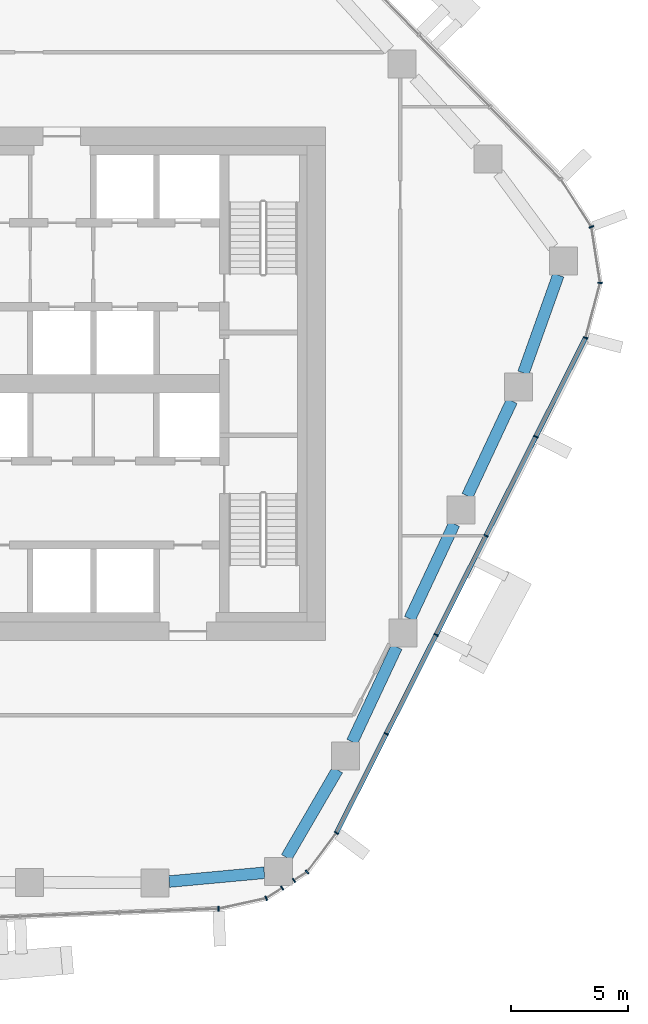
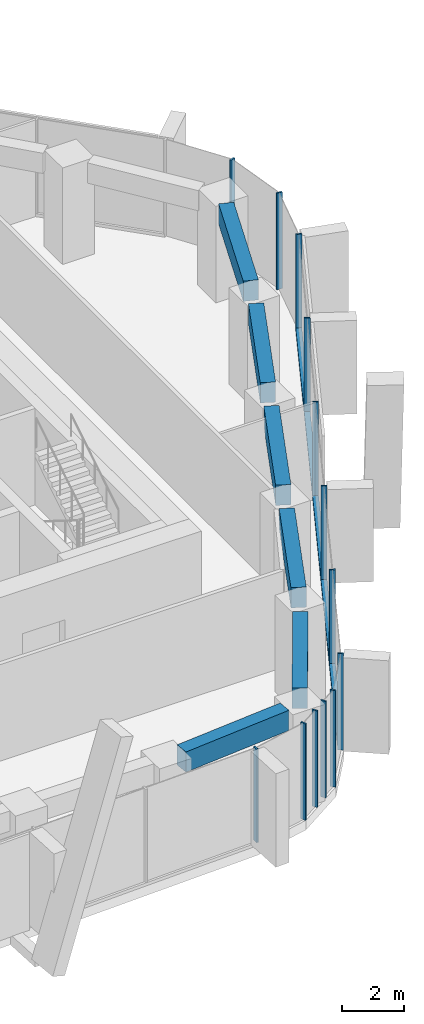
# One storey, part 4 of 19: 14 members, 6 beams, 5 elements without a shape of their own.
"""IFC4 building model written with IfcOpenShell, lengths in metres."""

from ifc_helpers import new_model, si_unit, direction, frame, origin, origin_2d, place, context, subcontext, project, spatial, rectangle, extrude, material, layer, layer_set, material_profile, profile_set, type_object, element, aggregate, save


model = new_model("IFC4")

# Units and contexts
model_context = context("Model", 3, precision=1e-05, world=origin(), true_north=direction((0.0, 1.0)))
body_context = subcontext(model_context, "Body", "Model", "MODEL_VIEW")
ifc_project = project(units=[si_unit("LENGTHUNIT", "METRE"), si_unit("AREAUNIT", "SQUARE_METRE"), si_unit("VOLUMEUNIT", "CUBIC_METRE"), si_unit("PLANEANGLEUNIT", "RADIAN"), si_unit("MASSUNIT", "GRAM", prefix="KILO")], contexts=[model_context])

# Site, building, storey
site_placement = place(None, origin())
site = spatial("IfcSite", under=ifc_project, at=site_placement, CompositionType="ELEMENT")
building_placement = place(site_placement, origin())
building = spatial("IfcBuilding", under=site, at=building_placement, Name="Dongbaek Canopy Tower", CompositionType="ELEMENT")
storey_placement = place(building_placement, frame((0.0, 0.0, 207.199951171875)))
storey = spatial("IfcBuildingStorey", under=building, at=storey_placement, Name="L43", CompositionType="ELEMENT", Elevation=207.199951171875)

# Curtain wall, members
ifc_material_1 = material(Name="Aluminium 6063-T6 pale anodised", Category="aluminium")
ifc_layer = layer(ifc_material_1, 0.199951171875)
ifc_layer_set = layer_set([ifc_layer], Name="CW-1 unitised tower curtain wall")
curtain_wall_type = type_object("IfcCurtainWallType", Name="CW-1 unitised tower curtain wall", PredefinedType="NOTDEFINED", material=ifc_layer_set)
curtain_wall_1_placement = place(storey_placement, origin())
curtain_wall_1 = element("IfcCurtainWall", 1, at=curtain_wall_1_placement, inside=storey, type_object=curtain_wall_type, Name="CW-1 curtain wall K0.1", PredefinedType="NOTDEFINED")
ifc_material_2 = material(Name="Aluminium 6063-T6 pale anodised", Category="aluminium")
ifc_material_profile_1 = material_profile(ifc_material_2, rectangle(XDim=0.199951171875, YDim=0.06005859375, at=origin_2d()), Name="CW-1 mullion 60 x 200")
ifc_profile_set_1 = profile_set([ifc_material_profile_1], Name="Aluminium 6063-T6 pale anodised")
member_type_1 = type_object("IfcMemberType", Name="CW-1 mullion 60 x 200", PredefinedType="MULLION", material=ifc_profile_set_1)
member_1_placement = place(storey_placement, frame((25.131591796875, 1.972900390625, 0.0), z_axis=(0.0, 0.0, 1.0), x_axis=(0.966599210412, -0.256292735815, 0.0)))
member_1 = element("IfcMember", 2, at=member_1_placement, type_object=member_type_1, Name="CW-1 mullion K0.1.1", PredefinedType="MULLION", context=body_context, shape_type="SweptSolid", body=[
    extrude(rectangle(XDim=0.199951171875, YDim=0.06005859375, at=origin_2d()), origin(), (0.0, 0.0, 1.0), 3.820068359375),
])
member_2_placement = place(storey_placement, frame((25.755615234375, 4.32666015625, 0.0), z_axis=(0.0, 0.0, 1.0), x_axis=(0.99863969186, -0.052141785952, 0.0)))
member_2 = element("IfcMember", 3, at=member_2_placement, type_object=member_type_1, Name="CW-1 mullion K0.1.2", PredefinedType="MULLION", context=body_context, shape_type="SweptSolid", body=[
    extrude(rectangle(XDim=0.199951171875, YDim=0.06005859375, at=origin_2d()), origin(), (0.0, 0.0, 1.0), 3.820068359375),
])
member_3_placement = place(storey_placement, frame((25.3818359375, 6.72216796875, 0.0), z_axis=(0.0, 0.0, 1.0), x_axis=(0.93523522403, 0.354026942101, 0.0)))
member_3 = element("IfcMember", 4, at=member_3_placement, type_object=member_type_1, Name="CW-1 mullion K0.1.3", PredefinedType="MULLION", context=body_context, shape_type="SweptSolid", body=[
    extrude(rectangle(XDim=0.199951171875, YDim=0.06005859375, at=origin_2d()), origin(), (0.0, 0.0, 1.0), 3.820068359375),
])
aggregate(curtain_wall_1, [member_1, member_2, member_3])

# Curtain wall, member
curtain_wall_2_placement = place(storey_placement, origin())
curtain_wall_2 = element("IfcCurtainWall", 5, at=curtain_wall_2_placement, inside=storey, type_object=curtain_wall_type, Name="CW-1 curtain wall F4.1", PredefinedType="NOTDEFINED")
member_4_placement = place(storey_placement, frame((9.410400390625, -22.482421875, 0.1201171875), z_axis=(0.0, 0.0, 1.0), x_axis=(0.039275850271, -0.999228406114, 0.0)))
member_4 = element("IfcMember", 6, at=member_4_placement, type_object=member_type_1, Name="CW-1 mullion F4.1.5", PredefinedType="MULLION", context=body_context, shape_type="SweptSolid", body=[
    extrude(rectangle(XDim=0.199951171875, YDim=0.06005859375, at=origin_2d()), origin(), (0.0, 0.0, 1.0), 3.699951171875),
])
aggregate(curtain_wall_2, [member_4])

# Curtain wall, members
curtain_wall_3_placement = place(storey_placement, origin())
curtain_wall_3 = element("IfcCurtainWall", 7, at=curtain_wall_3_placement, inside=storey, type_object=curtain_wall_type, Name="CW-1 curtain wall K5.1a", PredefinedType="NOTDEFINED")
member_5_placement = place(storey_placement, frame((11.4541015625, -22.0322265625, 0.0), z_axis=(0.0, 0.0, 1.0), x_axis=(0.384243222296, -0.923231902677, 0.0)))
member_5 = element("IfcMember", 8, at=member_5_placement, type_object=member_type_1, Name="CW-1 mullion K5.1a.2", PredefinedType="MULLION", context=body_context, shape_type="SweptSolid", body=[
    extrude(rectangle(XDim=0.199951171875, YDim=0.06005859375, at=origin_2d()), origin(), (0.0, 0.0, 1.0), 3.820068359375),
])
member_6_placement = place(storey_placement, frame((12.13427734375, -21.59423828125, 0.0), z_axis=(0.0, 0.0, 1.0), x_axis=(0.541263470039, -0.840853052561, 0.0)))
member_6 = element("IfcMember", 9, at=member_6_placement, type_object=member_type_1, Name="CW-1 mullion K5.1a.3", PredefinedType="MULLION", context=body_context, shape_type="SweptSolid", body=[
    extrude(rectangle(XDim=0.199951171875, YDim=0.06005859375, at=origin_2d()), origin(), (0.0, 0.0, 1.0), 3.820068359375),
])
aggregate(curtain_wall_3, [member_5, member_6])

curtain_wall_4_placement = place(storey_placement, origin())
curtain_wall_4 = element("IfcCurtainWall", 10, at=curtain_wall_4_placement, inside=storey, type_object=curtain_wall_type, Name="CW-1 curtain wall K5.1b", PredefinedType="NOTDEFINED")
member_7_placement = place(storey_placement, frame((12.642333984375, -21.267333984375, 0.0), z_axis=(0.0, 0.0, 1.0), x_axis=(0.541263470039, -0.840853052561, 0.0)))
member_7 = element("IfcMember", 11, at=member_7_placement, type_object=member_type_1, Name="CW-1 mullion K5.1b.1", PredefinedType="MULLION", context=body_context, shape_type="SweptSolid", body=[
    extrude(rectangle(XDim=0.199951171875, YDim=0.06005859375, at=origin_2d()), origin(), (0.0, 0.0, 1.0), 3.820068359375),
])
member_8_placement = place(storey_placement, frame((13.2060546875, -20.904541015625, 0.0), z_axis=(0.0, 0.0, 1.0), x_axis=(0.681265510321, -0.732036409236, 0.0)))
member_8 = element("IfcMember", 12, at=member_8_placement, type_object=member_type_1, Name="CW-1 mullion K5.1b.2", PredefinedType="MULLION", context=body_context, shape_type="SweptSolid", body=[
    extrude(rectangle(XDim=0.199951171875, YDim=0.06005859375, at=origin_2d()), origin(), (0.0, 0.0, 1.0), 3.820068359375),
])
member_9_placement = place(storey_placement, frame((14.4619140625, -19.230712890625, 0.0), z_axis=(0.0, 0.0, 1.0), x_axis=(0.799847450352, -0.60020334568, 0.0)))
member_9 = element("IfcMember", 13, at=member_9_placement, type_object=member_type_1, Name="CW-1 mullion K5.1b.3", PredefinedType="MULLION", context=body_context, shape_type="SweptSolid", body=[
    extrude(rectangle(XDim=0.199951171875, YDim=0.06005859375, at=origin_2d()), origin(), (0.0, 0.0, 1.0), 3.820068359375),
])
aggregate(curtain_wall_4, [member_7, member_8, member_9])

curtain_wall_5_placement = place(storey_placement, origin())
curtain_wall_5 = element("IfcCurtainWall", 14, at=curtain_wall_5_placement, inside=storey, type_object=curtain_wall_type, Name="CW-1 curtain wall F5.1", PredefinedType="NOTDEFINED")
member_10_placement = place(storey_placement, frame((16.59375, -14.994384765625, 0.1201171875), z_axis=(0.0, 0.0, 1.0), x_axis=(0.893280880274, -0.449498908716, 0.0)))
member_10 = element("IfcMember", 15, at=member_10_placement, type_object=member_type_1, Name="CW-1 mullion F5.1.2", PredefinedType="MULLION", context=body_context, shape_type="SweptSolid", body=[
    extrude(rectangle(XDim=0.199951171875, YDim=0.06005859375, at=origin_2d()), origin(), (0.0, 0.0, 1.0), 3.699951171875),
])
member_11_placement = place(storey_placement, frame((18.729248046875, -10.750244140625, 0.1201171875), z_axis=(0.0, 0.0, 1.0), x_axis=(0.893280880274, -0.449498908716, 0.0)))
member_11 = element("IfcMember", 16, at=member_11_placement, type_object=member_type_1, Name="CW-1 mullion F5.1.3", PredefinedType="MULLION", context=body_context, shape_type="SweptSolid", body=[
    extrude(rectangle(XDim=0.199951171875, YDim=0.06005859375, at=origin_2d()), origin(), (0.0, 0.0, 1.0), 3.699951171875),
])
member_12_placement = place(storey_placement, frame((20.864990234375, -6.506103515625, 0.1201171875), z_axis=(0.0, 0.0, 1.0), x_axis=(0.893280880274, -0.449498908716, 0.0)))
member_12 = element("IfcMember", 17, at=member_12_placement, type_object=member_type_1, Name="CW-1 mullion F5.1.4", PredefinedType="MULLION", context=body_context, shape_type="SweptSolid", body=[
    extrude(rectangle(XDim=0.199951171875, YDim=0.06005859375, at=origin_2d()), origin(), (0.0, 0.0, 1.0), 3.699951171875),
])
member_13_placement = place(storey_placement, frame((23.000732421875, -2.261962890625, 0.1201171875), z_axis=(0.0, 0.0, 1.0), x_axis=(0.893280880274, -0.449498908716, 0.0)))
member_13 = element("IfcMember", 18, at=member_13_placement, type_object=member_type_1, Name="CW-1 mullion F5.1.5", PredefinedType="MULLION", context=body_context, shape_type="SweptSolid", body=[
    extrude(rectangle(XDim=0.199951171875, YDim=0.06005859375, at=origin_2d()), origin(), (0.0, 0.0, 1.0), 3.699951171875),
])
ifc_material_3 = material(Name="Aluminium 6063-T6 pale anodised", Category="aluminium")
ifc_material_profile_2 = material_profile(ifc_material_3, rectangle(XDim=0.199951171875, YDim=0.1201171875, at=origin_2d()), Name="CW-1 transom 120 x 200")
ifc_profile_set_2 = profile_set([ifc_material_profile_2], Name="Aluminium 6063-T6 pale anodised")
member_type_2 = type_object("IfcMemberType", Name="CW-1 transom 120 x 200", PredefinedType="USERDEFINED", material=ifc_profile_set_2)
member_14_placement = place(storey_placement, frame((14.4619140625, -19.230712890625, 0.06005859375), z_axis=(0.449499589419, 0.893280537744, 0.0), x_axis=(-0.893280537744, 0.449499589419, 0.0)))
member_14 = element("IfcMember", 19, at=member_14_placement, type_object=member_type_2, Name="CW-1 transom F5.1.1", ObjectType="TRANSOM", PredefinedType="USERDEFINED", context=body_context, shape_type="SweptSolid", body=[
    extrude(rectangle(XDim=0.199951171875, YDim=0.1201171875, at=origin_2d()), origin(), (0.0, 0.0, 1.0), 23.73681640625),
])
aggregate(curtain_wall_5, [member_10, member_11, member_12, member_13, member_14])

# Beams
ifc_material_4 = material(Name="Concrete C70", Category="concrete")
ifc_material_profile_3 = material_profile(ifc_material_4, rectangle(XDim=0.5, YDim=0.800048828125, at=origin_2d()), Name="RC EDGE BEAM 500x800 C70")
ifc_profile_set_3 = profile_set([ifc_material_profile_3], Name="Concrete C70")
beam_type = type_object("IfcBeamType", Name="RC EDGE BEAM 500x800 C70", PredefinedType="BEAM", material=ifc_profile_set_3)
beam_1_placement = place(storey_placement, frame((11.3720703125, -20.9404296875, 3.420166015625), z_axis=(-0.995763065099, -0.091956066598, 0.0), x_axis=(0.091956066598, -0.995763065099, 0.0)))
element("IfcBeam", 20, at=beam_1_placement, inside=storey, type_object=beam_type, Name="EDGEBEAM:L43:00", PredefinedType="BEAM", context=body_context, shape_type="SweptSolid", body=[
    extrude(rectangle(XDim=0.5, YDim=0.800048828125, at=origin_2d()), origin(), (0.0, 0.0, 1.0), 4.09130859375),
])
beam_2_placement = place(storey_placement, frame((23.965576171875, 4.656982421875, 3.420166015625), z_axis=(-0.336398951073, -0.941719568511, 0.0), x_axis=(0.941719568511, -0.336398951073, 0.0)))
element("IfcBeam", 21, at=beam_2_placement, inside=storey, type_object=beam_type, Name="EDGEBEAM:L43:21", PredefinedType="BEAM", context=body_context, shape_type="SweptSolid", body=[
    extrude(rectangle(XDim=0.5, YDim=0.800048828125, at=origin_2d()), origin(), (0.0, 0.0, 1.0), 4.4501953125),
])
beam_3_placement = place(storey_placement, frame((21.972900390625, -0.73388671875, 3.420166015625), z_axis=(-0.424114752544, -0.905608456605, 0.0), x_axis=(0.905608456605, -0.424114752544, 0.0)))
element("IfcBeam", 22, at=beam_3_placement, inside=storey, type_object=beam_type, Name="EDGEBEAM:L43:22", PredefinedType="BEAM", context=body_context, shape_type="SweptSolid", body=[
    extrude(rectangle(XDim=0.5, YDim=0.800048828125, at=origin_2d()), origin(), (0.0, 0.0, 1.0), 4.489013671875),
])
beam_4_placement = place(storey_placement, frame((19.507080078125, -5.9990234375, 3.420166015625), z_axis=(-0.424057758342, -0.905635145956, 0.0), x_axis=(0.905635145956, -0.424057758342, 0.0)))
element("IfcBeam", 23, at=beam_4_placement, inside=storey, type_object=beam_type, Name="EDGEBEAM:L43:23", PredefinedType="BEAM", context=body_context, shape_type="SweptSolid", body=[
    extrude(rectangle(XDim=0.5, YDim=0.800048828125, at=origin_2d()), origin(), (0.0, 0.0, 1.0), 4.49072265625),
])
beam_5_placement = place(storey_placement, frame((17.041015625, -11.26611328125, 3.420166015625), z_axis=(-0.424275059541, -0.905533364295, 0.0), x_axis=(0.905533364295, -0.424275059541, 0.0)))
element("IfcBeam", 24, at=beam_5_placement, inside=storey, type_object=beam_type, Name="EDGEBEAM:L43:24", PredefinedType="BEAM", context=body_context, shape_type="SweptSolid", body=[
    extrude(rectangle(XDim=0.5, YDim=0.800048828125, at=origin_2d()), origin(), (0.0, 0.0, 1.0), 4.489990234375),
])
beam_6_placement = place(storey_placement, frame((14.505859375, -16.531982421875, 3.420166015625), z_axis=(-0.503073799677, -0.864243456486, 0.0), x_axis=(0.864243456486, -0.503073799677, 0.0)))
element("IfcBeam", 25, at=beam_6_placement, inside=storey, type_object=beam_type, Name="EDGEBEAM:L43:25", PredefinedType="BEAM", context=body_context, shape_type="SweptSolid", body=[
    extrude(rectangle(XDim=0.5, YDim=0.800048828125, at=origin_2d()), origin(), (0.0, 0.0, 1.0), 4.342529296875),
])

save(model, "model.ifc")
